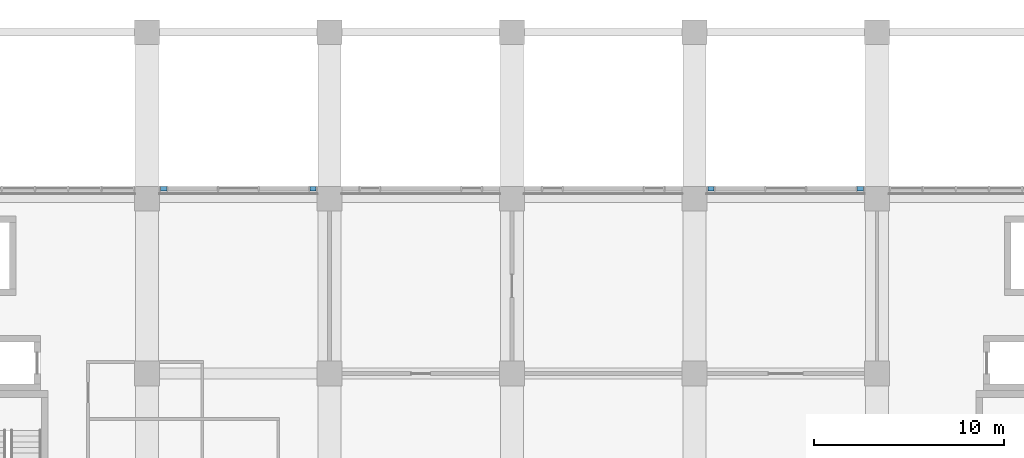
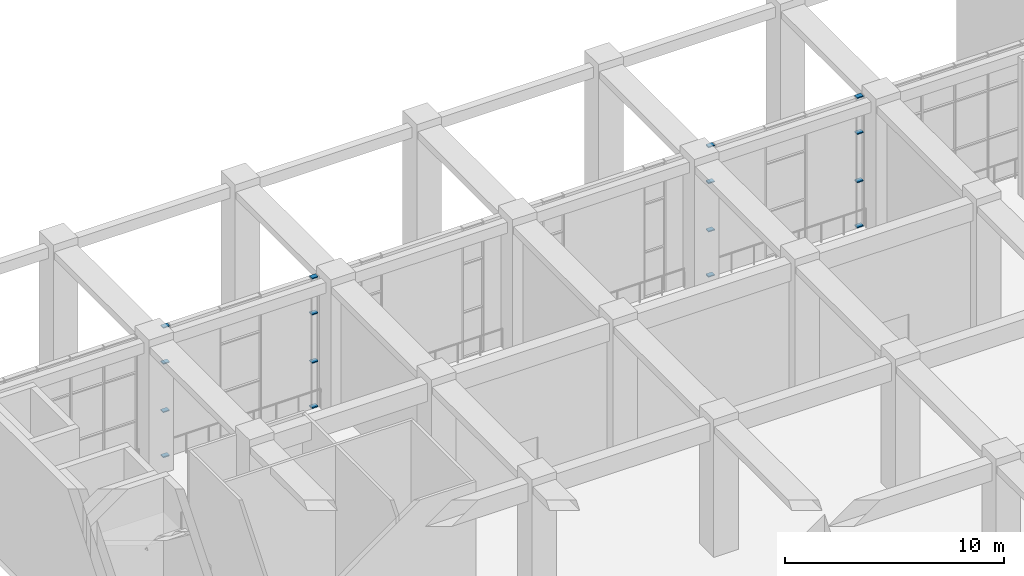
# One storey, part 7 of 33: 16 members, 4 elements without a shape of their own.
"""IFC4 building model written with IfcOpenShell, lengths in metres."""

from ifc_helpers import new_model, si_unit, direction, frame, origin, origin_2d, place, context, subcontext, project, spatial, hollow_rectangle, extrude, material, layer, layer_set, material_profile, profile_set, type_object, element, aggregate, save


model = new_model("IFC4")

# Units and contexts
model_context = context("Model", 3, precision=1e-05, world=origin(), true_north=direction((0.0, 1.0)))
body_context = subcontext(model_context, "Body", "Model", "MODEL_VIEW")
ifc_project = project(units=[si_unit("LENGTHUNIT", "METRE"), si_unit("AREAUNIT", "SQUARE_METRE"), si_unit("VOLUMEUNIT", "CUBIC_METRE"), si_unit("PLANEANGLEUNIT", "RADIAN"), si_unit("MASSUNIT", "GRAM", prefix="KILO")], contexts=[model_context])

# Site, building, storey
site_placement = place(None, origin())
site = spatial("IfcSite", under=ifc_project, at=site_placement, CompositionType="ELEMENT")
building_placement = place(site_placement, origin())
building = spatial("IfcBuilding", under=site, at=building_placement, Name="Nzadi Deep Aquarium and Research Tower", CompositionType="ELEMENT")
storey_placement = place(building_placement, frame((0.0, 0.0, 6.5)))
storey = spatial("IfcBuildingStorey", under=building, at=storey_placement, Name="L01", CompositionType="ELEMENT", Elevation=6.5)

# Curtain wall, members
ifc_material_1 = material(Name="Aluminium stick frame", Category="aluminium")
ifc_layer = layer(ifc_material_1, 0.25)
ifc_layer_set = layer_set([ifc_layer], Name="Aluminium stick frame")
curtain_wall_type = type_object("IfcCurtainWallType", Name="Curtain wall Stick 250", PredefinedType="NOTDEFINED", material=ifc_layer_set)
curtain_wall_1_placement = place(storey_placement, origin())
curtain_wall_1 = element("IfcCurtainWall", 1, at=curtain_wall_1_placement, inside=storey, type_object=curtain_wall_type, Name="Lobby stick glazing L01", PredefinedType="NOTDEFINED")
ifc_material_2 = material(Name="Aluminium stick frame", Category="aluminium")
ifc_material_profile = material_profile(ifc_material_2, hollow_rectangle(XDim=0.25, YDim=0.06005859375, WallThickness=0.0048828125, at=origin_2d()))
ifc_profile_set = profile_set([ifc_material_profile], Name="Aluminium stick frame")
member_type = type_object("IfcMemberType", Name="Transom 60x250 Stick", PredefinedType="MULLION", material=ifc_profile_set)
member_1_placement = place(storey_placement, frame((10.31005859375, 132.125, 0.030029296875), z_axis=(1.0, 0.0, 0.0), x_axis=(0.0, 1.0, 0.0)))
member_1 = element("IfcMember", 2, at=member_1_placement, type_object=member_type, Name="CW230 transom 1.1", PredefinedType="MULLION", context=body_context, shape_type="SweptSolid", body=[
    extrude(hollow_rectangle(XDim=0.25, YDim=0.06005859375, WallThickness=0.0048828125, at=origin_2d()), origin(), (0.0, 0.0, 1.0), 0.329833984375),
])
member_2_placement = place(storey_placement, frame((10.31005859375, 132.125, 2.550048828125), z_axis=(1.0, 0.0, 0.0), x_axis=(0.0, 1.0, 0.0)))
member_2 = element("IfcMember", 3, at=member_2_placement, type_object=member_type, Name="CW230 transom 1.2", PredefinedType="MULLION", context=body_context, shape_type="SweptSolid", body=[
    extrude(hollow_rectangle(XDim=0.25, YDim=0.06005859375, WallThickness=0.0048828125, at=origin_2d()), origin(), (0.0, 0.0, 1.0), 0.329833984375),
])
member_3_placement = place(storey_placement, frame((10.31005859375, 132.125, 5.2490234375), z_axis=(1.0, 0.0, 0.0), x_axis=(0.0, 1.0, 0.0)))
member_3 = element("IfcMember", 4, at=member_3_placement, type_object=member_type, Name="CW230 transom 1.3", PredefinedType="MULLION", context=body_context, shape_type="SweptSolid", body=[
    extrude(hollow_rectangle(XDim=0.25, YDim=0.06005859375, WallThickness=0.0048828125, at=origin_2d()), origin(), (0.0, 0.0, 1.0), 0.329833984375),
])
member_4_placement = place(storey_placement, frame((10.31005859375, 132.125, 7.260009765625), z_axis=(1.0, 0.0, 0.0), x_axis=(0.0, 1.0, 0.0)))
member_4 = element("IfcMember", 5, at=member_4_placement, type_object=member_type, Name="CW230 transom 1.4", PredefinedType="MULLION", context=body_context, shape_type="SweptSolid", body=[
    extrude(hollow_rectangle(XDim=0.25, YDim=0.06005859375, WallThickness=0.0048828125, at=origin_2d()), origin(), (0.0, 0.0, 1.0), 0.329833984375),
])
aggregate(curtain_wall_1, [member_1, member_2, member_3, member_4])

curtain_wall_2_placement = place(storey_placement, origin())
curtain_wall_2 = element("IfcCurtainWall", 6, at=curtain_wall_2_placement, inside=storey, type_object=curtain_wall_type, Name="Lobby stick glazing L01", PredefinedType="NOTDEFINED")
member_5_placement = place(storey_placement, frame((18.159912109375, 132.125, 0.030029296875), z_axis=(1.0, 0.0, 0.0), x_axis=(0.0, 1.0, 0.0)))
member_5 = element("IfcMember", 7, at=member_5_placement, type_object=member_type, Name="CW232 transom 1.1", PredefinedType="MULLION", context=body_context, shape_type="SweptSolid", body=[
    extrude(hollow_rectangle(XDim=0.25, YDim=0.06005859375, WallThickness=0.0048828125, at=origin_2d()), origin(), (0.0, 0.0, 1.0), 0.330078125),
])
member_6_placement = place(storey_placement, frame((18.159912109375, 132.125, 2.550048828125), z_axis=(1.0, 0.0, 0.0), x_axis=(0.0, 1.0, 0.0)))
member_6 = element("IfcMember", 8, at=member_6_placement, type_object=member_type, Name="CW232 transom 1.2", PredefinedType="MULLION", context=body_context, shape_type="SweptSolid", body=[
    extrude(hollow_rectangle(XDim=0.25, YDim=0.06005859375, WallThickness=0.0048828125, at=origin_2d()), origin(), (0.0, 0.0, 1.0), 0.330078125),
])
member_7_placement = place(storey_placement, frame((18.159912109375, 132.125, 5.2490234375), z_axis=(1.0, 0.0, 0.0), x_axis=(0.0, 1.0, 0.0)))
member_7 = element("IfcMember", 9, at=member_7_placement, type_object=member_type, Name="CW232 transom 1.3", PredefinedType="MULLION", context=body_context, shape_type="SweptSolid", body=[
    extrude(hollow_rectangle(XDim=0.25, YDim=0.06005859375, WallThickness=0.0048828125, at=origin_2d()), origin(), (0.0, 0.0, 1.0), 0.330078125),
])
member_8_placement = place(storey_placement, frame((18.159912109375, 132.125, 7.260009765625), z_axis=(1.0, 0.0, 0.0), x_axis=(0.0, 1.0, 0.0)))
member_8 = element("IfcMember", 10, at=member_8_placement, type_object=member_type, Name="CW232 transom 1.4", PredefinedType="MULLION", context=body_context, shape_type="SweptSolid", body=[
    extrude(hollow_rectangle(XDim=0.25, YDim=0.06005859375, WallThickness=0.0048828125, at=origin_2d()), origin(), (0.0, 0.0, 1.0), 0.330078125),
])
aggregate(curtain_wall_2, [member_5, member_6, member_7, member_8])

curtain_wall_3_placement = place(storey_placement, origin())
curtain_wall_3 = element("IfcCurtainWall", 11, at=curtain_wall_3_placement, inside=storey, type_object=curtain_wall_type, Name="Lobby stick glazing L01", PredefinedType="NOTDEFINED")
member_9_placement = place(storey_placement, frame((39.110107421875, 132.125, 0.030029296875), z_axis=(1.0, 0.0, 0.0), x_axis=(0.0, 1.0, 0.0)))
member_9 = element("IfcMember", 12, at=member_9_placement, type_object=member_type, Name="CW244 transom 1.1", PredefinedType="MULLION", context=body_context, shape_type="SweptSolid", body=[
    extrude(hollow_rectangle(XDim=0.25, YDim=0.06005859375, WallThickness=0.0048828125, at=origin_2d()), origin(), (0.0, 0.0, 1.0), 0.329833984375),
])
member_10_placement = place(storey_placement, frame((39.110107421875, 132.125, 2.550048828125), z_axis=(1.0, 0.0, 0.0), x_axis=(0.0, 1.0, 0.0)))
member_10 = element("IfcMember", 13, at=member_10_placement, type_object=member_type, Name="CW244 transom 1.2", PredefinedType="MULLION", context=body_context, shape_type="SweptSolid", body=[
    extrude(hollow_rectangle(XDim=0.25, YDim=0.06005859375, WallThickness=0.0048828125, at=origin_2d()), origin(), (0.0, 0.0, 1.0), 0.329833984375),
])
member_11_placement = place(storey_placement, frame((39.110107421875, 132.125, 5.2490234375), z_axis=(1.0, 0.0, 0.0), x_axis=(0.0, 1.0, 0.0)))
member_11 = element("IfcMember", 14, at=member_11_placement, type_object=member_type, Name="CW244 transom 1.3", PredefinedType="MULLION", context=body_context, shape_type="SweptSolid", body=[
    extrude(hollow_rectangle(XDim=0.25, YDim=0.06005859375, WallThickness=0.0048828125, at=origin_2d()), origin(), (0.0, 0.0, 1.0), 0.329833984375),
])
member_12_placement = place(storey_placement, frame((39.110107421875, 132.125, 7.260009765625), z_axis=(1.0, 0.0, 0.0), x_axis=(0.0, 1.0, 0.0)))
member_12 = element("IfcMember", 15, at=member_12_placement, type_object=member_type, Name="CW244 transom 1.4", PredefinedType="MULLION", context=body_context, shape_type="SweptSolid", body=[
    extrude(hollow_rectangle(XDim=0.25, YDim=0.06005859375, WallThickness=0.0048828125, at=origin_2d()), origin(), (0.0, 0.0, 1.0), 0.329833984375),
])
aggregate(curtain_wall_3, [member_9, member_10, member_11, member_12])

curtain_wall_4_placement = place(storey_placement, origin())
curtain_wall_4 = element("IfcCurtainWall", 16, at=curtain_wall_4_placement, inside=storey, type_object=curtain_wall_type, Name="Lobby stick glazing L01", PredefinedType="NOTDEFINED")
member_13_placement = place(storey_placement, frame((46.9599609375, 132.125, 0.030029296875), z_axis=(1.0, 0.0, 0.0), x_axis=(0.0, 1.0, 0.0)))
member_13 = element("IfcMember", 17, at=member_13_placement, type_object=member_type, Name="CW246 transom 1.1", PredefinedType="MULLION", context=body_context, shape_type="SweptSolid", body=[
    extrude(hollow_rectangle(XDim=0.25, YDim=0.06005859375, WallThickness=0.0048828125, at=origin_2d()), origin(), (0.0, 0.0, 1.0), 0.330078125),
])
member_14_placement = place(storey_placement, frame((46.9599609375, 132.125, 2.550048828125), z_axis=(1.0, 0.0, 0.0), x_axis=(0.0, 1.0, 0.0)))
member_14 = element("IfcMember", 18, at=member_14_placement, type_object=member_type, Name="CW246 transom 1.2", PredefinedType="MULLION", context=body_context, shape_type="SweptSolid", body=[
    extrude(hollow_rectangle(XDim=0.25, YDim=0.06005859375, WallThickness=0.0048828125, at=origin_2d()), origin(), (0.0, 0.0, 1.0), 0.330078125),
])
member_15_placement = place(storey_placement, frame((46.9599609375, 132.125, 5.2490234375), z_axis=(1.0, 0.0, 0.0), x_axis=(0.0, 1.0, 0.0)))
member_15 = element("IfcMember", 19, at=member_15_placement, type_object=member_type, Name="CW246 transom 1.3", PredefinedType="MULLION", context=body_context, shape_type="SweptSolid", body=[
    extrude(hollow_rectangle(XDim=0.25, YDim=0.06005859375, WallThickness=0.0048828125, at=origin_2d()), origin(), (0.0, 0.0, 1.0), 0.330078125),
])
member_16_placement = place(storey_placement, frame((46.9599609375, 132.125, 7.260009765625), z_axis=(1.0, 0.0, 0.0), x_axis=(0.0, 1.0, 0.0)))
member_16 = element("IfcMember", 20, at=member_16_placement, type_object=member_type, Name="CW246 transom 1.4", PredefinedType="MULLION", context=body_context, shape_type="SweptSolid", body=[
    extrude(hollow_rectangle(XDim=0.25, YDim=0.06005859375, WallThickness=0.0048828125, at=origin_2d()), origin(), (0.0, 0.0, 1.0), 0.330078125),
])
aggregate(curtain_wall_4, [member_13, member_14, member_15, member_16])

save(model, "model.ifc")
